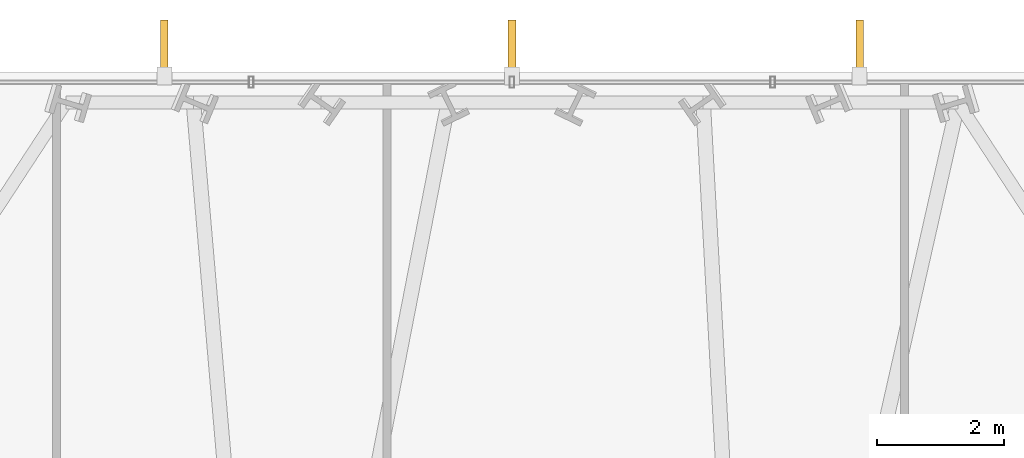
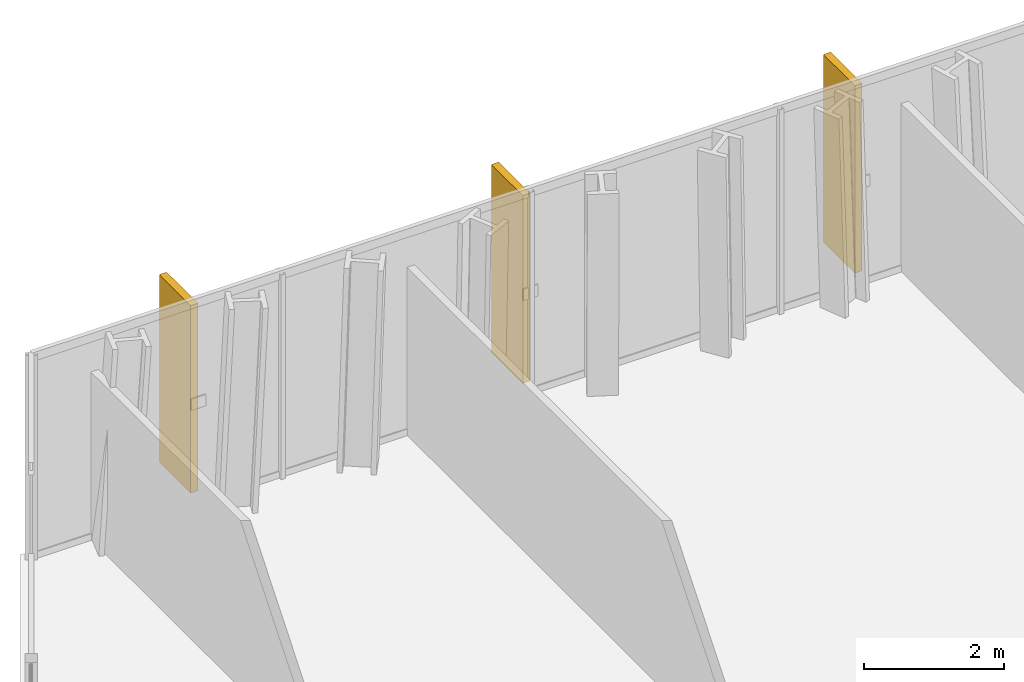
# One storey, part 33 of 33: 3 shading devices.
"""IFC4 building model written with IfcOpenShell, lengths in metres."""

from ifc_helpers import new_model, si_unit, direction, frame, origin, origin_2d, place, context, subcontext, project, spatial, rectangle, extrude, material, type_object, element, save


model = new_model("IFC4")

# Units and contexts
model_context = context("Model", 3, precision=1e-05, world=origin(), true_north=direction((0.0, 1.0)))
body_context = subcontext(model_context, "Body", "Model", "MODEL_VIEW")
ifc_project = project(units=[si_unit("LENGTHUNIT", "METRE"), si_unit("AREAUNIT", "SQUARE_METRE"), si_unit("VOLUMEUNIT", "CUBIC_METRE"), si_unit("PLANEANGLEUNIT", "RADIAN"), si_unit("MASSUNIT", "GRAM", prefix="KILO")], contexts=[model_context])

# Site, building, storey
site_placement = place(None, origin())
site = spatial("IfcSite", under=ifc_project, at=site_placement, CompositionType="ELEMENT")
building_placement = place(site_placement, origin())
building = spatial("IfcBuilding", under=site, at=building_placement, Name="Ndaravel Arena Tower", CompositionType="ELEMENT")
storey_placement = place(building_placement, frame((0.0, 0.0, 43.60009765625)))
storey = spatial("IfcBuildingStorey", under=building, at=storey_placement, Name="L08", CompositionType="ELEMENT", Elevation=43.60009765625)

# Shading devices
ifc_material = material(Name="Masonry", Category="masonry")
shading_device_type = type_object("IfcShadingDeviceType", Name="SHD-MAZERAS-FIN", PredefinedType="SHUTTER", material=ifc_material)
for number, where, z_axis, x_axis, name in (
    (1, (47.492431640625, 46.444091796875, 0.14990234375), (0.0, 0.0, 1.0), (0.0, 1.0, 0.0), "L08 Mazeras Stone Solar Fin E4.1"),
    (2, (42.0, 46.444091796875, 0.14990234375), (0.0, 0.0, 1.0), (0.0, 1.0, 0.0), "L08 Mazeras Stone Solar Fin E4.2"),
    (3, (36.507568359375, 46.444091796875, 0.14990234375), (0.0, 0.0, 1.0), (0.0, 1.0, 0.0), "L08 Mazeras Stone Solar Fin E4.3"),
):
    element("IfcShadingDevice", number, at=place(storey_placement, frame(where, z_axis=z_axis, x_axis=x_axis)), inside=storey, type_object=shading_device_type, Name=name, PredefinedType="SHUTTER", context=body_context, shape_type="SweptSolid", body=[
        extrude(rectangle(XDim=0.89990234375, YDim=0.1201171875, at=origin_2d()), origin(), (0.0, 0.0, 1.0), 3.280029296875),
    ])

save(model, "model.ifc")
